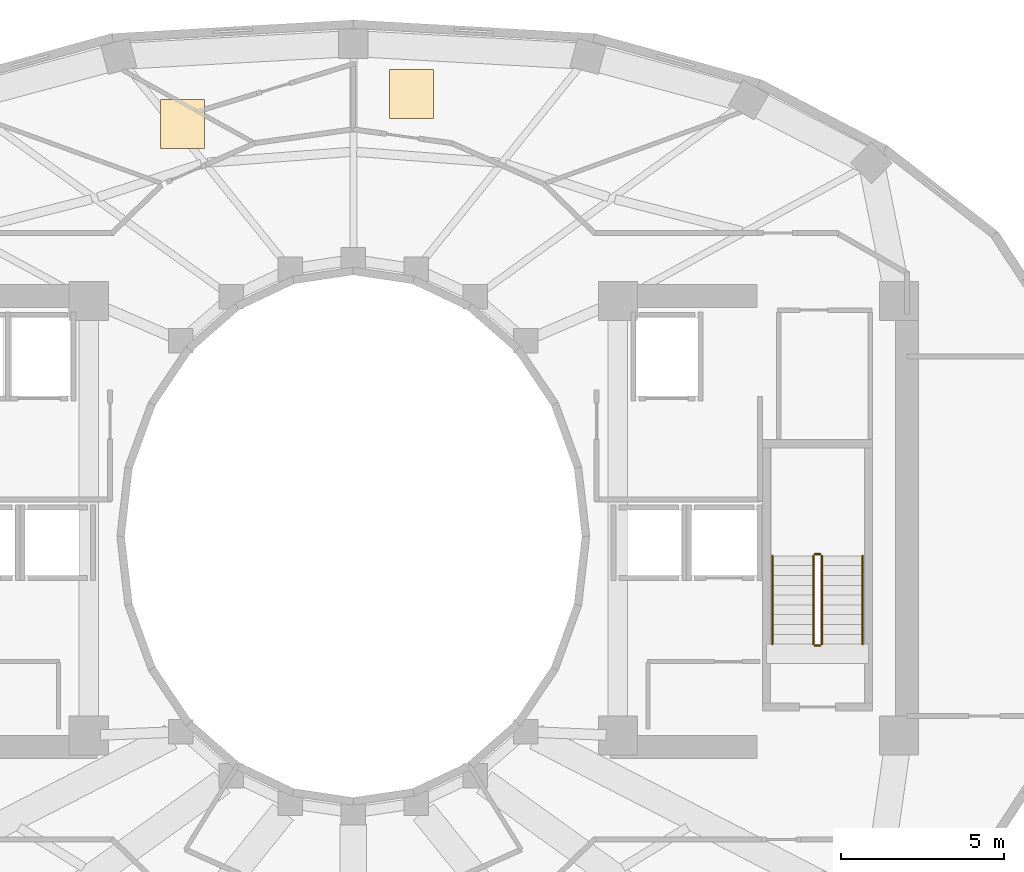
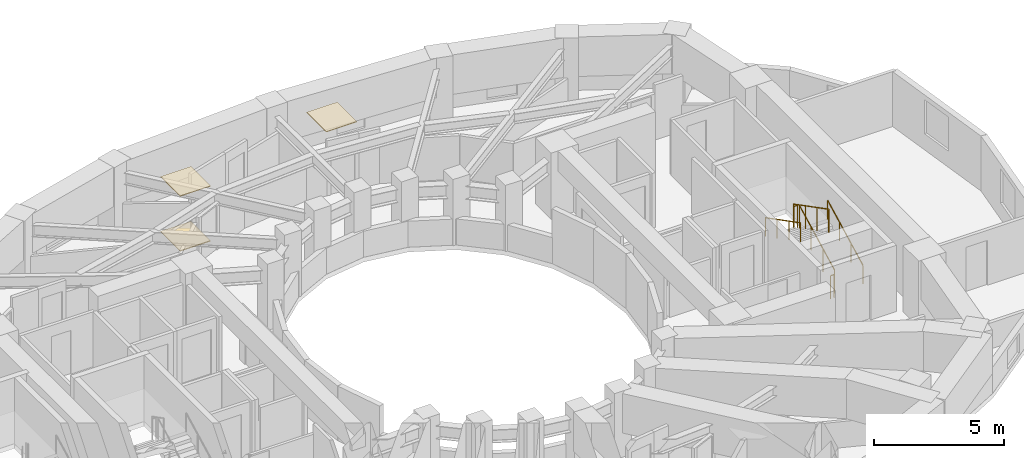
# One storey, part 9 of 9: 6 railings, 3 coverings.
"""IFC4 building model written with IfcOpenShell, lengths in metres."""

import ifcopenshell
import ifcopenshell.guid

model = None  # the IFC model being written
_history = None  # IfcOwnerHistory: only IFC2X3 demands one
_inside = {}  # id of a spatial element -> (the spatial element, [elements in it])
_under = {}  # id of a project, library or spatial element -> (it, [spatial elements below it])
_declared = {}  # id of a project -> (the project, [libraries it declares])
_typed = {}  # id of a type object -> (the type object, [elements of that type])
_made_of = {}  # id of a material, layer set ... -> (it, [elements and type objects made of it])


def new_model(schema):
    """Start an empty IFC model of exactly this schema.

    Asked for "IFC4X3", IfcOpenShell would pick the latest addendum, in which some entities
    have other attributes; the version numbers below select the first issue.
    IFC2X3 requires an IfcOwnerHistory on every rooted entity: one is made here for all.
    """
    global model, _history
    if schema == "IFC4X3":
        model = ifcopenshell.file(schema_version=(4, 3, 0, 0))
    else:
        model = ifcopenshell.file(schema=schema)
    _inside.clear()
    _under.clear()
    _declared.clear()
    _typed.clear()
    _made_of.clear()
    _history = None
    if model.schema == "IFC2X3":
        org = make("IfcOrganization", Name="unknown")
        user = make(
            "IfcPersonAndOrganization",
            ThePerson=make("IfcPerson", FamilyName="unknown"),
            TheOrganization=org,
        )
        app = make(
            "IfcApplication",
            ApplicationDeveloper=org,
            Version="unknown",
            ApplicationFullName="unknown",
            ApplicationIdentifier="unknown",
        )
        _history = make(
            "IfcOwnerHistory",
            OwningUser=user,
            OwningApplication=app,
            ChangeAction="ADDED",
            CreationDate=0,
        )
    return model


def make(cls, **values):
    """One entity of the class cls with the attributes given. An attribute that is None is left unset."""
    return model.create_entity(
        cls, **{name: value for name, value in values.items() if value is not None}
    )


def rooted(cls, **values):
    """An entity with a GlobalId (a new one), such as an element, a storey or a relation."""
    return make(cls, GlobalId=ifcopenshell.guid.new(), OwnerHistory=_history, **values)


def si_unit(unit_type, name, prefix=None):
    """IfcSIUnit, for example si_unit("LENGTHUNIT", "METRE", prefix="MILLI")."""
    return make("IfcSIUnit", UnitType=unit_type, Prefix=prefix, Name=name)


def assignment(units):
    """IfcUnitAssignment: the units of a project."""
    return None if units is None else make("IfcUnitAssignment", Units=units)


def point(xyz):
    """IfcCartesianPoint."""
    return None if xyz is None else make("IfcCartesianPoint", Coordinates=xyz)


def direction(xyz):
    """IfcDirection."""
    return None if xyz is None else make("IfcDirection", DirectionRatios=xyz)


def frame(location, z_axis=None, x_axis=None):
    """IfcAxis2Placement3D, a coordinate frame: its origin and axes. An axis left out is left unset."""
    return make(
        "IfcAxis2Placement3D",
        Location=point(location),
        Axis=direction(z_axis),
        RefDirection=direction(x_axis),
    )


def frame_2d(location, x_axis=None):
    """IfcAxis2Placement2D, a coordinate frame in the plane: its origin and x axis."""
    return make(
        "IfcAxis2Placement2D", Location=point(location), RefDirection=direction(x_axis)
    )


def origin():
    """The frame at (0, 0, 0) with its axes left unset."""
    return frame((0.0, 0.0, 0.0))


def origin_2d():
    """The frame at (0, 0) in the plane with its x axis left unset."""
    return frame_2d((0.0, 0.0))


def place(relative_to, where):
    """IfcLocalPlacement: puts the frame where relative to a parent placement (None: the world)."""
    return make(
        "IfcLocalPlacement", PlacementRelTo=relative_to, RelativePlacement=where
    )


def context(
    kind, dimensions, precision=None, world=None, true_north=None, identifier=None
):
    """IfcGeometricRepresentationContext, for example the 3D "Model" context."""
    return make(
        "IfcGeometricRepresentationContext",
        ContextIdentifier=identifier,
        ContextType=kind,
        CoordinateSpaceDimension=dimensions,
        Precision=precision,
        WorldCoordinateSystem=world,
        TrueNorth=true_north,
    )


def subcontext(parent, identifier, kind, view, scale=None):
    """IfcGeometricRepresentationSubContext, for example "Body" below "Model"."""
    return make(
        "IfcGeometricRepresentationSubContext",
        ContextIdentifier=identifier,
        ContextType=kind,
        ParentContext=parent,
        TargetScale=scale,
        TargetView=view,
    )


def project(units=None, contexts=None):
    """IfcProject with its units and contexts."""
    return rooted(
        "IfcProject",
        Name="project",
        RepresentationContexts=contexts,
        UnitsInContext=assignment(units),
    )


def spatial(cls, under=None, at=None, **own):
    """A site, building, storey or space (cls), placed at a placement, below another one or the project."""
    s = rooted(cls, ObjectPlacement=at, **own)
    if under is not None:
        _under.setdefault(under.id(), (under, []))[1].append(s)
    return s


def polyline(points):
    """IfcPolyline through the points."""
    return make("IfcPolyline", Points=[point(p) for p in points])


def profile(cls, at=None, kind="AREA", **sizes):
    """A parametric profile (cls). Its sizes go by their IFC names, for example OverallWidth=200.0."""
    return make(cls, ProfileType=kind, Position=at, **sizes)


def circle(**sizes):
    """IfcCircleProfileDef."""
    return profile("IfcCircleProfileDef", **sizes)


def outline(outer, holes=None, kind="AREA"):
    """IfcArbitraryClosedProfileDef: a profile drawn as a closed curve; with holes, ...WithVoids."""
    if holes is None:
        return make("IfcArbitraryClosedProfileDef", ProfileType=kind, OuterCurve=outer)
    return make(
        "IfcArbitraryProfileDefWithVoids",
        ProfileType=kind,
        OuterCurve=outer,
        InnerCurves=holes,
    )


def extrude(swept, where, along, depth):
    """IfcExtrudedAreaSolid: the profile swept, set in the frame where, extruded along a direction by depth."""
    return make(
        "IfcExtrudedAreaSolid",
        SweptArea=swept,
        Position=where,
        ExtrudedDirection=direction(along),
        Depth=depth,
    )


def shape(context_of_items, identifier, shape_type, items):
    """IfcShapeRepresentation: the items that make up one representation, for example the "Body"."""
    return make(
        "IfcShapeRepresentation",
        ContextOfItems=context_of_items,
        RepresentationIdentifier=identifier,
        RepresentationType=shape_type,
        Items=items,
    )


def material(Name=None, Category=None):
    """IfcMaterial."""
    return make("IfcMaterial", Name=Name, Category=Category)


def layer(
    of_material, thickness, ventilated=None, Name=None, Category=None, Priority=None
):
    """IfcMaterialLayer: one layer of a wall or slab, of a material (None: an air gap)."""
    return make(
        "IfcMaterialLayer",
        Material=of_material,
        LayerThickness=thickness,
        IsVentilated=ventilated,
        Name=Name,
        Category=Category,
        Priority=Priority,
    )


def layer_set(layers, Name=None):
    """IfcMaterialLayerSet."""
    return make("IfcMaterialLayerSet", MaterialLayers=layers, LayerSetName=Name)


def made_of(thing, what):
    """Note that an element or type object is made of a material, layer set ...; save() writes the relation."""
    if what is not None:
        _made_of.setdefault(what.id(), (what, []))[1].append(thing)
    return thing


def type_object(cls, material=None, **own):
    """A type object (cls), such as IfcWallType, which elements share."""
    return made_of(rooted(cls, **own), material)


def element(
    cls,
    number,
    at=None,
    inside=None,
    cuts=None,
    type_object=None,
    material=None,
    context=None,
    identifier="Body",
    shape_type=None,
    held_by="IfcProductDefinitionShape",
    body=None,
    shapes=None,
    **own,
):
    """One element of the class cls, such as IfcWall. Its Tag is "e" and its number.

    at: its placement. inside: the storey or other place that contains it. cuts: it is an
    opening in that element (IfcRelVoidsElement). A single representation is given by context,
    identifier, shape_type and body (its items); several are given by shapes. held_by: the class
    of the entity that holds the representations. save() writes the other relations.
    """
    e = rooted(cls, Tag="e%d" % number, ObjectPlacement=at, **own)
    if body is not None:
        shapes = [shape(context, identifier, shape_type, body)]
    if shapes is not None:
        e.Representation = make(held_by, Representations=shapes)
    if inside is not None:
        _inside.setdefault(inside.id(), (inside, []))[1].append(e)
    if cuts is not None:
        rooted(
            "IfcRelVoidsElement", RelatingBuildingElement=cuts, RelatedOpeningElement=e
        )
    if type_object is not None:
        _typed.setdefault(type_object.id(), (type_object, []))[1].append(e)
    return made_of(e, material)


def aggregate(whole, parts):
    """IfcRelAggregates: a whole, such as a stair, and the parts it consists of."""
    return rooted("IfcRelAggregates", RelatingObject=whole, RelatedObjects=parts)


def save(model, path):
    """Write the relations noted so far, then the file.

    IfcRelAggregates (storeys below a building ...), IfcRelContainedInSpatialStructure (elements
    in a storey), IfcRelDefinesByType, IfcRelAssociatesMaterial and IfcRelDeclares: one each for
    every whole, place, type object, material and project.
    """
    for whole, parts in _under.values():
        aggregate(whole, parts)
    for where, things in _inside.values():
        rooted(
            "IfcRelContainedInSpatialStructure",
            RelatedElements=things,
            RelatingStructure=where,
        )
    for kind, things in _typed.values():
        rooted("IfcRelDefinesByType", RelatedObjects=things, RelatingType=kind)
    for what, things in _made_of.values():
        rooted("IfcRelAssociatesMaterial", RelatedObjects=things, RelatingMaterial=what)
    for by, libraries in _declared.values():
        rooted("IfcRelDeclares", RelatingContext=by, RelatedDefinitions=libraries)
    model.write(path)


model = new_model("IFC4")

# Units and contexts
model_context = context("Model", 3, precision=1e-05, world=origin(), true_north=direction((0.0, 1.0)))
body_context = subcontext(model_context, "Body", "Model", "MODEL_VIEW")
ifc_project = project(units=[si_unit("LENGTHUNIT", "METRE"), si_unit("AREAUNIT", "SQUARE_METRE"), si_unit("VOLUMEUNIT", "CUBIC_METRE"), si_unit("PLANEANGLEUNIT", "RADIAN"), si_unit("MASSUNIT", "GRAM", prefix="KILO")], contexts=[model_context])

# Site, building, storey
site_placement = place(None, origin())
site = spatial("IfcSite", under=ifc_project, at=site_placement, CompositionType="ELEMENT")
building_placement = place(site_placement, origin())
building = spatial("IfcBuilding", under=site, at=building_placement, Name="Solvane Sanctuary Tower", CompositionType="ELEMENT")
storey_placement = place(building_placement, frame((0.0, 0.0, 168.39990234375)))
storey = spatial("IfcBuildingStorey", under=building, at=storey_placement, Name="L51", CompositionType="ELEMENT", Elevation=168.39990234375)

# Coverings
ifc_material_1 = material(Name="Acoustic Gypsum Partition Board")
ifc_layer_1 = layer(ifc_material_1, 0.02490234375, Name="Acoustic Gypsum Partition Board")
ifc_layer_set_1 = layer_set([ifc_layer_1], Name="Acoustic Gypsum Partition Board")
covering_type_1 = type_object("IfcCoveringType", Name="Covering CLG-ACOUST", PredefinedType="CEILING", material=ifc_layer_set_1)
covering_1_placement = place(storey_placement, frame((0.0, 0.0, 2.570068359375)))
element("IfcCovering", 1, at=covering_1_placement, inside=storey, type_object=covering_type_1, Name="L51 Unit Acoustic Ceiling Panel 1", PredefinedType="CEILING", context=body_context, shape_type="SweptSolid", body=[
    extrude(outline(polyline([(33.10693359375, 35.782958984375), (34.45703125, 35.782958984375), (34.45703125, 37.282958984375), (33.10693359375, 37.282958984375), (33.10693359375, 35.782958984375)])), origin(), (0.0, 0.0, 1.0), 0.030029296875),
])
covering_2_placement = place(storey_placement, frame((0.0, 0.0, 2.570068359375)))
element("IfcCovering", 2, at=covering_2_placement, inside=storey, type_object=covering_type_1, Name="L51 Unit Acoustic Ceiling Panel 2", PredefinedType="CEILING", context=body_context, shape_type="SweptSolid", body=[
    extrude(outline(polyline([(26.10107421875, 34.861083984375), (27.450927734375, 34.861083984375), (27.450927734375, 36.361083984375), (26.10107421875, 36.361083984375), (26.10107421875, 34.861083984375)])), origin(), (0.0, 0.0, 1.0), 0.030029296875),
])
ifc_material_2 = material(Name="Ceramic Tile Finish")
ifc_layer_2 = layer(ifc_material_2, 0.030029296875, Name="Ceramic Tile Finish")
ifc_layer_set_2 = layer_set([ifc_layer_2], Name="Ceramic Tile Finish")
covering_type_2 = type_object("IfcCoveringType", Name="Covering FLR-TERRAZZO", PredefinedType="FLOORING", material=ifc_layer_set_2)
covering_3_placement = place(storey_placement, origin())
element("IfcCovering", 3, at=covering_3_placement, inside=storey, type_object=covering_type_2, Name="L51 Unit Terrazzo Inlay 2", PredefinedType="FLOORING", context=body_context, shape_type="SweptSolid", body=[
    extrude(outline(polyline([(26.10107421875, 34.861083984375), (27.450927734375, 34.861083984375), (27.450927734375, 36.361083984375), (26.10107421875, 36.361083984375), (26.10107421875, 34.861083984375)])), origin(), (0.0, 0.0, 1.0), 0.03515625),
])

# Railings
ifc_material_3 = material(Name="Architectural Stainless Steel 316", Category="steel")
railing_type_1 = type_object("IfcRailingType", Name="Railing GR-BALC-1150", PredefinedType="BALUSTRADE", material=ifc_material_3)
railing_1_placement = place(storey_placement, frame((46.340087890625, 19.699951171875, 0.155029296875)))
element("IfcRailing", 4, at=railing_1_placement, inside=storey, type_object=railing_type_1, Name="L51 ST-2 stair guard 1", PredefinedType="BALUSTRADE", context=body_context, shape_type="SweptSolid", body=[
    extrude(circle(Radius=0.02392578125, at=origin_2d()), frame((0.0, 0.0, 1.076171875), z_axis=(0.0, 0.888419900624, 0.459031676658), x_axis=(-1.0, 0.0, 0.0)), (0.0, 0.0, 1.0), 3.0390625),
    extrude(circle(Radius=0.02099609375, at=origin_2d()), origin(), (0.0, 0.0, 1.0), 1.052001953125),
    extrude(circle(Radius=0.02099609375, at=origin_2d()), frame((0.0, 0.89990234375, 0.465087890625)), (0.0, 0.0, 1.0), 1.052001953125),
    extrude(circle(Radius=0.02099609375, at=origin_2d()), frame((0.0, 1.800048828125, 0.929931640625)), (0.0, 0.0, 1.0), 1.052001953125),
    extrude(circle(Radius=0.02099609375, at=origin_2d()), frame((0.0, 2.699951171875, 1.39501953125)), (0.0, 0.0, 1.0), 1.052001953125),
])
railing_2_placement = place(storey_placement, frame((46.2900390625, 22.449951171875, 1.550048828125)))
element("IfcRailing", 5, at=railing_2_placement, inside=storey, type_object=railing_type_1, Name="L51 ST-2 stair guard 2", PredefinedType="BALUSTRADE", context=body_context, shape_type="SweptSolid", body=[
    extrude(circle(Radius=0.02392578125, at=origin_2d()), frame((0.0, 0.0, 1.076171875), z_axis=(-1.0, 0.0, 0.0), x_axis=(0.0, -1.0, 0.0)), (0.0, 0.0, 1.0), 0.16015625),
    extrude(circle(Radius=0.02099609375, at=origin_2d()), origin(), (0.0, 0.0, 1.0), 1.052001953125),
    extrude(circle(Radius=0.02099609375, at=origin_2d()), frame((-0.16015625, 0.0, 0.0)), (0.0, 0.0, 1.0), 1.052001953125),
])
railing_3_placement = place(storey_placement, frame((46.080078125, 22.39990234375, 1.705078125)))
element("IfcRailing", 6, at=railing_3_placement, inside=storey, type_object=railing_type_1, Name="L51 ST-2 stair guard 3", PredefinedType="BALUSTRADE", context=body_context, shape_type="SweptSolid", body=[
    extrude(circle(Radius=0.02392578125, at=origin_2d()), frame((0.0, 0.0, 1.076171875), z_axis=(0.0, -0.888419900624, 0.459031676658), x_axis=(1.0, 0.0, 0.0)), (0.0, 0.0, 1.0), 3.0390625),
    extrude(circle(Radius=0.02099609375, at=origin_2d()), origin(), (0.0, 0.0, 1.0), 1.052001953125),
    extrude(circle(Radius=0.02099609375, at=origin_2d()), frame((0.0, -0.89990234375, 0.465087890625)), (0.0, 0.0, 1.0), 1.052001953125),
    extrude(circle(Radius=0.02099609375, at=origin_2d()), frame((0.0, -1.800048828125, 0.929931640625)), (0.0, 0.0, 1.0), 1.052001953125),
    extrude(circle(Radius=0.02099609375, at=origin_2d()), frame((0.0, -2.699951171875, 1.39501953125)), (0.0, 0.0, 1.0), 1.052001953125),
])
railing_4_placement = place(storey_placement, frame((46.2900390625, 19.64990234375, 0.0)))
element("IfcRailing", 7, at=railing_4_placement, inside=storey, type_object=railing_type_1, Name="L51 ST-2 stair guard 4", PredefinedType="BALUSTRADE", context=body_context, shape_type="SweptSolid", body=[
    extrude(circle(Radius=0.02392578125, at=origin_2d()), frame((0.0, 0.0, 1.076171875), z_axis=(-1.0, 0.0, 0.0), x_axis=(0.0, -1.0, 0.0)), (0.0, 0.0, 1.0), 0.16015625),
    extrude(circle(Radius=0.02099609375, at=origin_2d()), origin(), (0.0, 0.0, 1.0), 1.052001953125),
    extrude(circle(Radius=0.02099609375, at=origin_2d()), frame((-0.16015625, 0.0, 0.0)), (0.0, 0.0, 1.0), 1.052001953125),
])
railing_type_2 = type_object("IfcRailingType", Name="Railing HR-STAIR-920", PredefinedType="HANDRAIL", material=ifc_material_3)
railing_5_placement = place(storey_placement, frame((47.590087890625, 19.699951171875, 0.155029296875)))
element("IfcRailing", 8, at=railing_5_placement, inside=storey, type_object=railing_type_2, Name="L51 ST-2 stair handrail 1", PredefinedType="HANDRAIL", context=body_context, shape_type="SweptSolid", body=[
    extrude(circle(Radius=0.02392578125, at=origin_2d()), frame((0.0, 0.0, 0.8759765625), z_axis=(0.0, 0.888419900624, 0.459031676658), x_axis=(-1.0, 0.0, 0.0)), (0.0, 0.0, 1.0), 3.0390625),
    extrude(circle(Radius=0.02099609375, at=origin_2d()), origin(), (0.0, 0.0, 1.0), 0.851806640625),
    extrude(circle(Radius=0.02099609375, at=origin_2d()), frame((0.0, 0.89990234375, 0.465087890625)), (0.0, 0.0, 1.0), 0.851806640625),
    extrude(circle(Radius=0.02099609375, at=origin_2d()), frame((0.0, 1.800048828125, 0.929931640625)), (0.0, 0.0, 1.0), 0.851806640625),
    extrude(circle(Radius=0.02099609375, at=origin_2d()), frame((0.0, 2.699951171875, 1.39501953125)), (0.0, 0.0, 1.0), 0.851806640625),
])
railing_6_placement = place(storey_placement, frame((44.830078125, 22.39990234375, 1.705078125)))
element("IfcRailing", 9, at=railing_6_placement, inside=storey, type_object=railing_type_2, Name="L51 ST-2 stair handrail 2", PredefinedType="HANDRAIL", context=body_context, shape_type="SweptSolid", body=[
    extrude(circle(Radius=0.02392578125, at=origin_2d()), frame((0.0, 0.0, 0.8759765625), z_axis=(0.0, -0.888419900624, 0.459031676658), x_axis=(1.0, 0.0, 0.0)), (0.0, 0.0, 1.0), 3.0390625),
    extrude(circle(Radius=0.02099609375, at=origin_2d()), origin(), (0.0, 0.0, 1.0), 0.851806640625),
    extrude(circle(Radius=0.02099609375, at=origin_2d()), frame((0.0, -0.89990234375, 0.465087890625)), (0.0, 0.0, 1.0), 0.851806640625),
    extrude(circle(Radius=0.02099609375, at=origin_2d()), frame((0.0, -1.800048828125, 0.929931640625)), (0.0, 0.0, 1.0), 0.851806640625),
    extrude(circle(Radius=0.02099609375, at=origin_2d()), frame((0.0, -2.699951171875, 1.39501953125)), (0.0, 0.0, 1.0), 0.851806640625),
])

save(model, "model.ifc")
